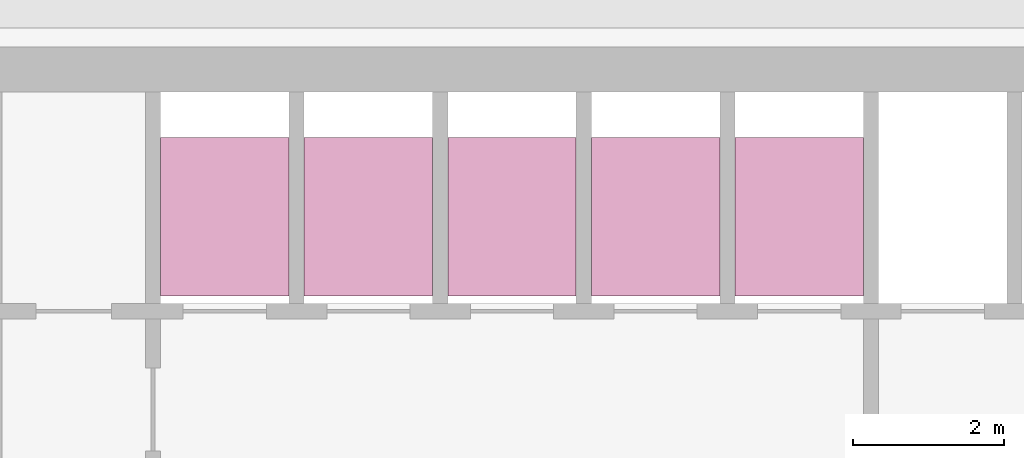
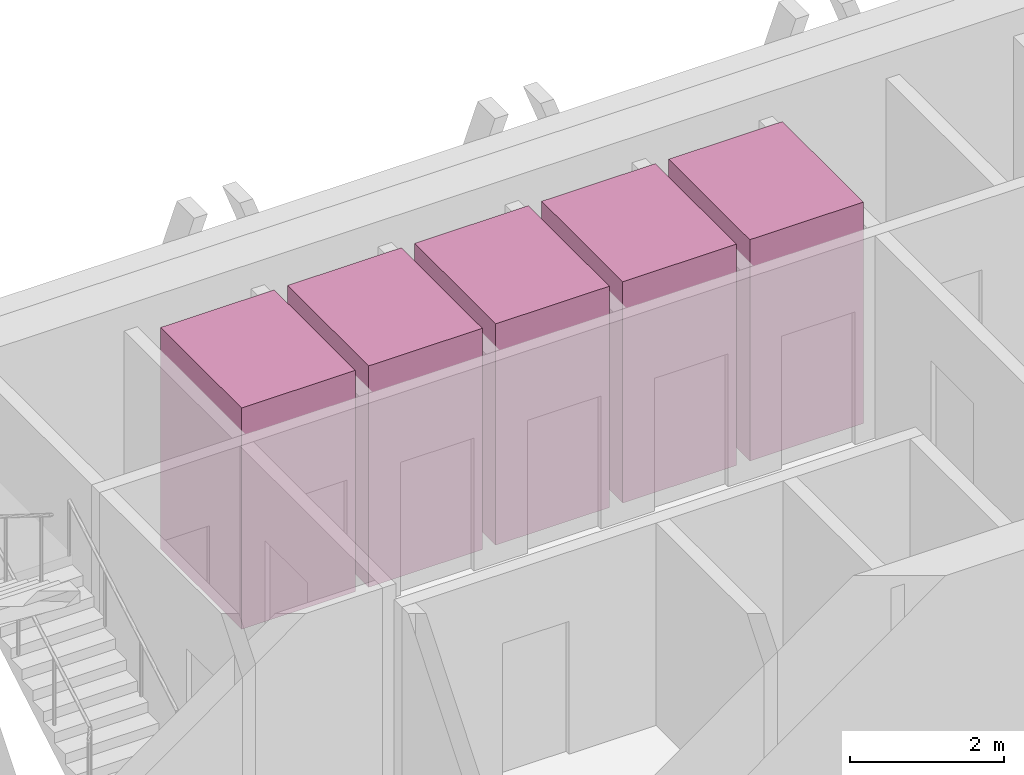
# One storey, part 14 of 14: 5 transport elements.
"""IFC4 building model written with IfcOpenShell, lengths in metres."""

import ifcopenshell
import ifcopenshell.guid

model = None  # the IFC model being written
_history = None  # IfcOwnerHistory: only IFC2X3 demands one
_inside = {}  # id of a spatial element -> (the spatial element, [elements in it])
_under = {}  # id of a project, library or spatial element -> (it, [spatial elements below it])
_declared = {}  # id of a project -> (the project, [libraries it declares])
_typed = {}  # id of a type object -> (the type object, [elements of that type])
_made_of = {}  # id of a material, layer set ... -> (it, [elements and type objects made of it])


def new_model(schema):
    """Start an empty IFC model of exactly this schema.

    Asked for "IFC4X3", IfcOpenShell would pick the latest addendum, in which some entities
    have other attributes; the version numbers below select the first issue.
    IFC2X3 requires an IfcOwnerHistory on every rooted entity: one is made here for all.
    """
    global model, _history
    if schema == "IFC4X3":
        model = ifcopenshell.file(schema_version=(4, 3, 0, 0))
    else:
        model = ifcopenshell.file(schema=schema)
    _inside.clear()
    _under.clear()
    _declared.clear()
    _typed.clear()
    _made_of.clear()
    _history = None
    if model.schema == "IFC2X3":
        org = make("IfcOrganization", Name="unknown")
        user = make(
            "IfcPersonAndOrganization",
            ThePerson=make("IfcPerson", FamilyName="unknown"),
            TheOrganization=org,
        )
        app = make(
            "IfcApplication",
            ApplicationDeveloper=org,
            Version="unknown",
            ApplicationFullName="unknown",
            ApplicationIdentifier="unknown",
        )
        _history = make(
            "IfcOwnerHistory",
            OwningUser=user,
            OwningApplication=app,
            ChangeAction="ADDED",
            CreationDate=0,
        )
    return model


def make(cls, **values):
    """One entity of the class cls with the attributes given. An attribute that is None is left unset."""
    return model.create_entity(
        cls, **{name: value for name, value in values.items() if value is not None}
    )


def rooted(cls, **values):
    """An entity with a GlobalId (a new one), such as an element, a storey or a relation."""
    return make(cls, GlobalId=ifcopenshell.guid.new(), OwnerHistory=_history, **values)


def si_unit(unit_type, name, prefix=None):
    """IfcSIUnit, for example si_unit("LENGTHUNIT", "METRE", prefix="MILLI")."""
    return make("IfcSIUnit", UnitType=unit_type, Prefix=prefix, Name=name)


def assignment(units):
    """IfcUnitAssignment: the units of a project."""
    return None if units is None else make("IfcUnitAssignment", Units=units)


def point(xyz):
    """IfcCartesianPoint."""
    return None if xyz is None else make("IfcCartesianPoint", Coordinates=xyz)


def direction(xyz):
    """IfcDirection."""
    return None if xyz is None else make("IfcDirection", DirectionRatios=xyz)


def frame(location, z_axis=None, x_axis=None):
    """IfcAxis2Placement3D, a coordinate frame: its origin and axes. An axis left out is left unset."""
    return make(
        "IfcAxis2Placement3D",
        Location=point(location),
        Axis=direction(z_axis),
        RefDirection=direction(x_axis),
    )


def frame_2d(location, x_axis=None):
    """IfcAxis2Placement2D, a coordinate frame in the plane: its origin and x axis."""
    return make(
        "IfcAxis2Placement2D", Location=point(location), RefDirection=direction(x_axis)
    )


def origin():
    """The frame at (0, 0, 0) with its axes left unset."""
    return frame((0.0, 0.0, 0.0))


def origin_2d():
    """The frame at (0, 0) in the plane with its x axis left unset."""
    return frame_2d((0.0, 0.0))


def place(relative_to, where):
    """IfcLocalPlacement: puts the frame where relative to a parent placement (None: the world)."""
    return make(
        "IfcLocalPlacement", PlacementRelTo=relative_to, RelativePlacement=where
    )


def context(
    kind, dimensions, precision=None, world=None, true_north=None, identifier=None
):
    """IfcGeometricRepresentationContext, for example the 3D "Model" context."""
    return make(
        "IfcGeometricRepresentationContext",
        ContextIdentifier=identifier,
        ContextType=kind,
        CoordinateSpaceDimension=dimensions,
        Precision=precision,
        WorldCoordinateSystem=world,
        TrueNorth=true_north,
    )


def subcontext(parent, identifier, kind, view, scale=None):
    """IfcGeometricRepresentationSubContext, for example "Body" below "Model"."""
    return make(
        "IfcGeometricRepresentationSubContext",
        ContextIdentifier=identifier,
        ContextType=kind,
        ParentContext=parent,
        TargetScale=scale,
        TargetView=view,
    )


def project(units=None, contexts=None):
    """IfcProject with its units and contexts."""
    return rooted(
        "IfcProject",
        Name="project",
        RepresentationContexts=contexts,
        UnitsInContext=assignment(units),
    )


def spatial(cls, under=None, at=None, **own):
    """A site, building, storey or space (cls), placed at a placement, below another one or the project."""
    s = rooted(cls, ObjectPlacement=at, **own)
    if under is not None:
        _under.setdefault(under.id(), (under, []))[1].append(s)
    return s


def profile(cls, at=None, kind="AREA", **sizes):
    """A parametric profile (cls). Its sizes go by their IFC names, for example OverallWidth=200.0."""
    return make(cls, ProfileType=kind, Position=at, **sizes)


def rectangle(**sizes):
    """IfcRectangleProfileDef."""
    return profile("IfcRectangleProfileDef", **sizes)


def extrude(swept, where, along, depth):
    """IfcExtrudedAreaSolid: the profile swept, set in the frame where, extruded along a direction by depth."""
    return make(
        "IfcExtrudedAreaSolid",
        SweptArea=swept,
        Position=where,
        ExtrudedDirection=direction(along),
        Depth=depth,
    )


def shape(context_of_items, identifier, shape_type, items):
    """IfcShapeRepresentation: the items that make up one representation, for example the "Body"."""
    return make(
        "IfcShapeRepresentation",
        ContextOfItems=context_of_items,
        RepresentationIdentifier=identifier,
        RepresentationType=shape_type,
        Items=items,
    )


def material(Name=None, Category=None):
    """IfcMaterial."""
    return make("IfcMaterial", Name=Name, Category=Category)


def made_of(thing, what):
    """Note that an element or type object is made of a material, layer set ...; save() writes the relation."""
    if what is not None:
        _made_of.setdefault(what.id(), (what, []))[1].append(thing)
    return thing


def type_object(cls, material=None, **own):
    """A type object (cls), such as IfcWallType, which elements share."""
    return made_of(rooted(cls, **own), material)


def element(
    cls,
    number,
    at=None,
    inside=None,
    cuts=None,
    type_object=None,
    material=None,
    context=None,
    identifier="Body",
    shape_type=None,
    held_by="IfcProductDefinitionShape",
    body=None,
    shapes=None,
    **own,
):
    """One element of the class cls, such as IfcWall. Its Tag is "e" and its number.

    at: its placement. inside: the storey or other place that contains it. cuts: it is an
    opening in that element (IfcRelVoidsElement). A single representation is given by context,
    identifier, shape_type and body (its items); several are given by shapes. held_by: the class
    of the entity that holds the representations. save() writes the other relations.
    """
    e = rooted(cls, Tag="e%d" % number, ObjectPlacement=at, **own)
    if body is not None:
        shapes = [shape(context, identifier, shape_type, body)]
    if shapes is not None:
        e.Representation = make(held_by, Representations=shapes)
    if inside is not None:
        _inside.setdefault(inside.id(), (inside, []))[1].append(e)
    if cuts is not None:
        rooted(
            "IfcRelVoidsElement", RelatingBuildingElement=cuts, RelatedOpeningElement=e
        )
    if type_object is not None:
        _typed.setdefault(type_object.id(), (type_object, []))[1].append(e)
    return made_of(e, material)


def aggregate(whole, parts):
    """IfcRelAggregates: a whole, such as a stair, and the parts it consists of."""
    return rooted("IfcRelAggregates", RelatingObject=whole, RelatedObjects=parts)


def save(model, path):
    """Write the relations noted so far, then the file.

    IfcRelAggregates (storeys below a building ...), IfcRelContainedInSpatialStructure (elements
    in a storey), IfcRelDefinesByType, IfcRelAssociatesMaterial and IfcRelDeclares: one each for
    every whole, place, type object, material and project.
    """
    for whole, parts in _under.values():
        aggregate(whole, parts)
    for where, things in _inside.values():
        rooted(
            "IfcRelContainedInSpatialStructure",
            RelatedElements=things,
            RelatingStructure=where,
        )
    for kind, things in _typed.values():
        rooted("IfcRelDefinesByType", RelatedObjects=things, RelatingType=kind)
    for what, things in _made_of.values():
        rooted("IfcRelAssociatesMaterial", RelatedObjects=things, RelatingMaterial=what)
    for by, libraries in _declared.values():
        rooted("IfcRelDeclares", RelatingContext=by, RelatedDefinitions=libraries)
    model.write(path)


model = new_model("IFC4")

# Units and contexts
model_context = context("Model", 3, precision=1e-05, world=origin(), true_north=direction((0.0, 1.0)))
body_context = subcontext(model_context, "Body", "Model", "MODEL_VIEW")
ifc_project = project(units=[si_unit("LENGTHUNIT", "METRE"), si_unit("AREAUNIT", "SQUARE_METRE"), si_unit("VOLUMEUNIT", "CUBIC_METRE"), si_unit("PLANEANGLEUNIT", "RADIAN"), si_unit("MASSUNIT", "GRAM", prefix="KILO")], contexts=[model_context])

# Site, building, storey
site_placement = place(None, origin())
site = spatial("IfcSite", under=ifc_project, at=site_placement, CompositionType="ELEMENT")
building_placement = place(site_placement, origin())
building = spatial("IfcBuilding", under=site, at=building_placement, Name="Altiplano Prism Tower", CompositionType="ELEMENT")
storey_placement = place(building_placement, frame((0.0, 0.0, 230.199951171875)))
storey = spatial("IfcBuildingStorey", under=building, at=storey_placement, Name="L59", CompositionType="ELEMENT", Elevation=230.199951171875)

# Transport elements
ifc_material = material(Name="Stainless steel lift car", Category="steel")
transport_element_type = type_object("IfcTransportElementType", Name="Passenger lift car 1600 x 2100", PredefinedType="ELEVATOR", material=ifc_material)
for number, where, z_axis, x_axis, name in (
    (1, (79.050048828125, 101.75, 0.050048828125), (0.0, 0.0, 1.0), (1.0, 0.0, 0.0), "Mid Zone Passenger Lift 1"),
    (2, (80.949951171875, 101.75, 0.050048828125), (0.0, 0.0, 1.0), (1.0, 0.0, 0.0), "Mid Zone Passenger Lift 2"),
    (3, (82.85009765625, 101.75, 0.050048828125), (0.0, 0.0, 1.0), (1.0, 0.0, 0.0), "Mid Zone Passenger Lift 3"),
    (4, (84.75, 101.75, 0.050048828125), (0.0, 0.0, 1.0), (1.0, 0.0, 0.0), "Mid Zone Passenger Lift 4"),
    (5, (86.64990234375, 101.75, 0.050048828125), (0.0, 0.0, 1.0), (1.0, 0.0, 0.0), "Mid Zone Passenger Lift 5"),
):
    element("IfcTransportElement", number, at=place(storey_placement, frame(where, z_axis=z_axis, x_axis=x_axis)), inside=storey, type_object=transport_element_type, Name=name, PredefinedType="ELEVATOR", context=body_context, shape_type="SweptSolid", body=[
        extrude(rectangle(XDim=1.699951171875, YDim=2.10009765625, at=origin_2d()), origin(), (0.0, 0.0, 1.0), 3.5),
    ])

save(model, "model.ifc")
